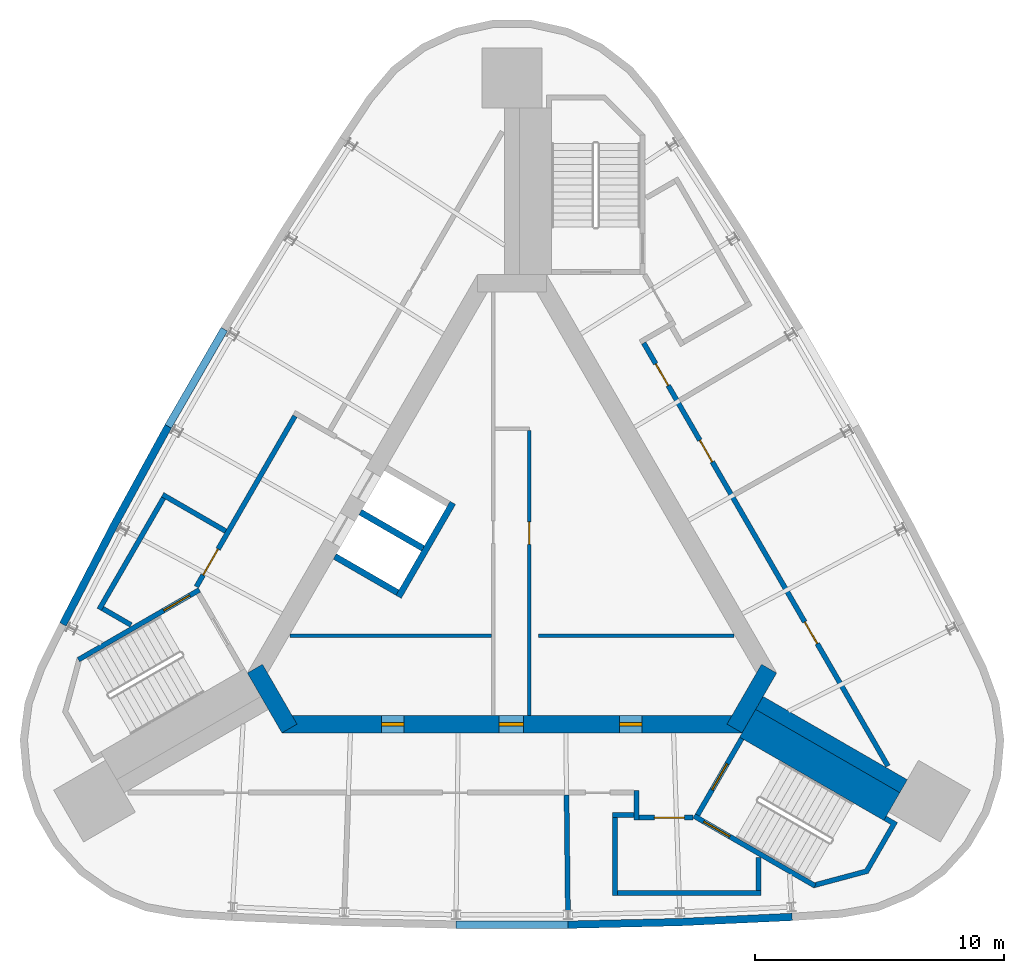
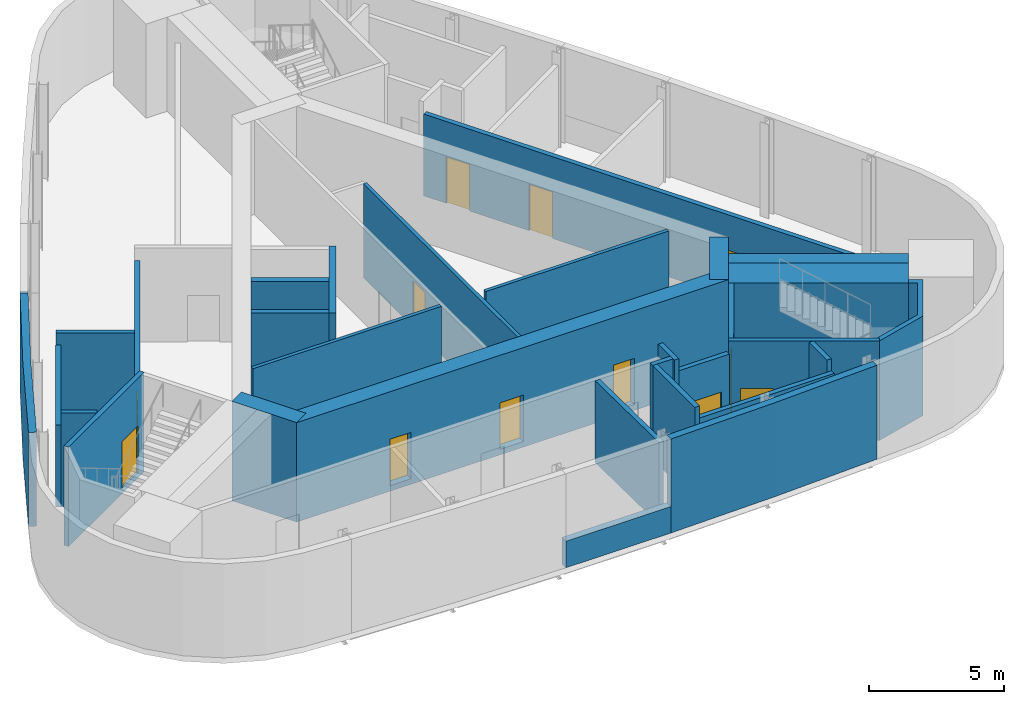
# One storey, part 4 of 7: 31 walls, 12 doors, 12 openings.
"""IFC4 building model written with IfcOpenShell, lengths in metres."""

from ifc_helpers import new_model, si_unit, direction, frame, frame_2d, origin, place, context, subcontext, project, spatial, polyline, rectangle, outline, extrude, material, layer, layer_set, type_object, element, fill, save


model = new_model("IFC4")

# Units and contexts
model_context = context("Model", 3, precision=1e-05, world=origin(), true_north=direction((0.0, 1.0)))
body_context = subcontext(model_context, "Body", "Model", "MODEL_VIEW")
ifc_project = project(units=[si_unit("LENGTHUNIT", "METRE"), si_unit("AREAUNIT", "SQUARE_METRE"), si_unit("VOLUMEUNIT", "CUBIC_METRE"), si_unit("PLANEANGLEUNIT", "RADIAN"), si_unit("MASSUNIT", "GRAM", prefix="KILO")], contexts=[model_context])

# Site, building, storey
site_placement = place(None, origin())
site = spatial("IfcSite", under=ifc_project, at=site_placement, CompositionType="ELEMENT")
building_placement = place(site_placement, origin())
building = spatial("IfcBuilding", under=site, at=building_placement, Name="Noor Cloister Tower", CompositionType="ELEMENT")
storey_placement = place(building_placement, frame((0.0, 0.0, 288.60009765625)))
storey = spatial("IfcBuildingStorey", under=building, at=storey_placement, Name="L73", CompositionType="ELEMENT", Elevation=288.60009765625)

# Walls
ifc_material_1 = material(Name="Concrete C50/60", Category="concrete")
ifc_layer_1 = layer(ifc_material_1, 0.60009765625)
ifc_layer_set_1 = layer_set([ifc_layer_1], Name="Buttress wall 600 C50/60")
wall_type_1 = type_object("IfcWallType", Name="Buttress wall 600 C50/60", PredefinedType="SHEAR", material=ifc_layer_set_1)
wall_1_placement = place(storey_placement, frame((9.921630859375, -5.728271484375, -0.25), z_axis=(0.0, 0.0, 1.0), x_axis=(0.866032176823, -0.499988268569, 0.0)))
element("IfcWall", 1, at=wall_1_placement, inside=storey, type_object=wall_type_1, Name="Buttress wall SE L73", PredefinedType="SHEAR", context=body_context, shape_type="SweptSolid", body=[
    extrude(rectangle(XDim=6.678466796875, YDim=0.60009765625, at=frame_2d((3.33935546875, 0.0))), origin(), (0.0, 0.0, 1.0), 4.5),
])
ifc_material_2 = material(Name="Concrete C30/37", Category="concrete")
ifc_layer_2 = layer(ifc_material_2, 0.14990234375)
ifc_layer_set_2 = layer_set([ifc_layer_2], Name="Core partition 150 C30/37")
wall_type_2 = type_object("IfcWallType", Name="Core partition 150 C30/37", PredefinedType="PARTITIONING", material=ifc_layer_set_2)
wall_2_placement = place(storey_placement, frame((-8.89501953125, -3.0283203125, 0.0), z_axis=(0.0, 0.0, 1.0), x_axis=(1.0, 0.0, 0.0)))
element("IfcWall", 2, at=wall_2_placement, inside=storey, type_object=wall_type_2, Name="Core room partition L73 1", PredefinedType="PARTITIONING", context=body_context, shape_type="SweptSolid", body=[
    extrude(rectangle(XDim=8.06640625, YDim=0.14990234375, at=frame_2d((4.033203125, 0.0))), origin(), (0.0, 0.0, 1.0), 4.25),
])

# Wall, opening, door
wall_3_placement = place(storey_placement, frame((0.6962890625, 5.19677734375, 0.0), z_axis=(0.0, 0.0, 1.0), x_axis=(0.0, -1.0, 0.0)))
wall_3 = element("IfcWall", 3, at=wall_3_placement, inside=storey, type_object=wall_type_2, Name="Core room partition L73 4", PredefinedType="PARTITIONING", context=body_context, shape_type="SweptSolid", body=[
    extrude(rectangle(XDim=11.425048828125, YDim=0.14990234375, at=frame_2d((5.71240234375, 0.0))), origin(), (0.0, 0.0, 1.0), 4.25),
])
opening_1_placement = place(wall_3_placement, frame((3.66357421875, 0.0, 0.0)))
opening_1 = element("IfcOpeningElement", 4, at=opening_1_placement, cuts=wall_3, Name="Opening L73-905", PredefinedType="OPENING", context=body_context, shape_type="SweptSolid", body=[
    extrude(rectangle(XDim=0.89990234375, YDim=2.10009765625, at=frame_2d((0.449951171875, 1.050048828125))), frame((0.0, 0.0849609375, 0.0), z_axis=(0.0, -1.0, 0.0), x_axis=(1.0, 0.0, 0.0)), (0.0, 0.0, 1.0), 0.169921875),
])
ifc_material_3 = material(Name="Steel", Category="steel")
door_type_1 = type_object("IfcDoorType", Name="Core door 900 x 2100 FD60", OperationType="SINGLE_SWING_LEFT", PredefinedType="DOOR", material=ifc_material_3)
door_1_placement = place(opening_1_placement, origin())
door_1 = element("IfcDoor", 5, at=door_1_placement, inside=storey, type_object=door_type_1, Name="Core door 5 L73", OperationType="SINGLE_SWING_LEFT", OverallHeight=2.10009765625, OverallWidth=0.89990234375, PredefinedType="DOOR", context=body_context, shape_type="SweptSolid", body=[
    extrude(rectangle(XDim=0.89990234375, YDim=2.10009765625, at=frame_2d((0.449951171875, 1.050048828125))), frame((0.0, 0.02490234375, 0.0), z_axis=(0.0, -1.0, 0.0), x_axis=(1.0, 0.0, 0.0)), (0.0, 0.0, 1.0), 0.050048828125),
])
fill(opening_1, door_1)

# Wall
wall_4_placement = place(storey_placement, frame((1.0712890625, -3.0283203125, 0.0), z_axis=(0.0, 0.0, 1.0), x_axis=(1.0, 0.0, 0.0)))
element("IfcWall", 6, at=wall_4_placement, inside=storey, type_object=wall_type_2, Name="Core room partition L73 5", PredefinedType="PARTITIONING", context=body_context, shape_type="SweptSolid", body=[
    extrude(rectangle(XDim=7.82373046875, YDim=0.14990234375, at=frame_2d((3.911865234375, 0.0))), origin(), (0.0, 0.0, 1.0), 4.25),
])

# Wall, openings, doors
ifc_material_4 = material(Name="Concrete C50/60", Category="concrete")
ifc_layer_3 = layer(ifc_material_4, 0.699951171875)
ifc_layer_set_3 = layer_set([ifc_layer_3], Name="Core wall 700 C50/60")
wall_type_3 = type_object("IfcWallType", Name="Core wall 700 C50/60", PredefinedType="SHEAR", material=ifc_layer_set_3)
wall_5_placement = place(storey_placement, frame((-9.228759765625, -6.578125, -0.25), z_axis=(0.0, 0.0, 1.0), x_axis=(1.0, 0.0, 0.0)))
wall_5 = element("IfcWall", 7, at=wall_5_placement, inside=storey, type_object=wall_type_3, Name="Core wall L73 1", PredefinedType="SHEAR", context=body_context, shape_type="SweptSolid", body=[
    extrude(rectangle(XDim=18.45751953125, YDim=0.699951171875, at=frame_2d((9.228759765625, 0.0))), origin(), (0.0, 0.0, 1.0), 4.5),
])
opening_2_placement = place(wall_5_placement, frame((8.699951171875, 0.0, 0.25)))
opening_2 = element("IfcOpeningElement", 8, at=opening_2_placement, cuts=wall_5, Name="Opening L73-901", PredefinedType="OPENING", context=body_context, shape_type="SweptSolid", body=[
    extrude(rectangle(XDim=1.0, YDim=2.10009765625, at=frame_2d((0.5, 1.050048828125))), frame((0.0, 0.35986328125, 0.0), z_axis=(0.0, -1.0, 0.0), x_axis=(1.0, 0.0, 0.0)), (0.0, 0.0, 1.0), 0.719970703125),
])
opening_3_placement = place(wall_5_placement, frame((3.989501953125, 0.0, 0.25)))
opening_3 = element("IfcOpeningElement", 9, at=opening_3_placement, cuts=wall_5, Name="Opening L73-902", PredefinedType="OPENING", context=body_context, shape_type="SweptSolid", body=[
    extrude(rectangle(XDim=0.89990234375, YDim=2.10009765625, at=frame_2d((0.449951171875, 1.050048828125))), frame((0.0, 0.35986328125, 0.0), z_axis=(0.0, -1.0, 0.0), x_axis=(1.0, 0.0, 0.0)), (0.0, 0.0, 1.0), 0.719970703125),
])
opening_4_placement = place(wall_5_placement, frame((13.539306640625, 0.0, 0.25)))
opening_4 = element("IfcOpeningElement", 10, at=opening_4_placement, cuts=wall_5, Name="Opening L73-903", PredefinedType="OPENING", context=body_context, shape_type="SweptSolid", body=[
    extrude(rectangle(XDim=0.89990234375, YDim=2.10009765625, at=frame_2d((0.449951171875, 1.050048828125))), frame((0.0, 0.35986328125, 0.0), z_axis=(0.0, -1.0, 0.0), x_axis=(1.0, 0.0, 0.0)), (0.0, 0.0, 1.0), 0.719970703125),
])
ifc_material_5 = material(Name="Steel", Category="steel")
door_type_2 = type_object("IfcDoorType", Name="Core door 1000 x 2100 FD120", OperationType="SINGLE_SWING_LEFT", PredefinedType="DOOR", material=ifc_material_5)
door_2_placement = place(opening_2_placement, origin())
door_2 = element("IfcDoor", 11, at=door_2_placement, inside=storey, type_object=door_type_2, Name="Core door 1 L73", OperationType="SINGLE_SWING_LEFT", OverallHeight=2.10009765625, OverallWidth=1.0, PredefinedType="DOOR", context=body_context, shape_type="SweptSolid", body=[
    extrude(rectangle(XDim=1.0, YDim=2.10009765625, at=frame_2d((0.5, 1.050048828125))), frame((0.0, 0.074951171875, 0.0), z_axis=(0.0, -1.0, 0.0), x_axis=(1.0, 0.0, 0.0)), (0.0, 0.0, 1.0), 0.14990234375),
])
fill(opening_2, door_2)
ifc_material_6 = material(Name="Steel", Category="steel")
door_type_3 = type_object("IfcDoorType", Name="Core door 900 x 2100 FD120", OperationType="SINGLE_SWING_LEFT", PredefinedType="DOOR", material=ifc_material_6)
door_3_placement = place(opening_3_placement, origin())
door_3 = element("IfcDoor", 12, at=door_3_placement, inside=storey, type_object=door_type_3, Name="Core door 2 L73", OperationType="SINGLE_SWING_RIGHT", OverallHeight=2.10009765625, OverallWidth=0.89990234375, PredefinedType="DOOR", context=body_context, shape_type="SweptSolid", body=[
    extrude(rectangle(XDim=0.89990234375, YDim=2.10009765625, at=frame_2d((0.449951171875, 1.050048828125))), frame((0.0, 0.074951171875, 0.0), z_axis=(0.0, -1.0, 0.0), x_axis=(1.0, 0.0, 0.0)), (0.0, 0.0, 1.0), 0.14990234375),
])
fill(opening_3, door_3)
door_4_placement = place(opening_4_placement, origin())
door_4 = element("IfcDoor", 13, at=door_4_placement, inside=storey, type_object=door_type_1, Name="Core door 3 L73", OperationType="SINGLE_SWING_LEFT", OverallHeight=2.10009765625, OverallWidth=0.89990234375, PredefinedType="DOOR", context=body_context, shape_type="SweptSolid", body=[
    extrude(rectangle(XDim=0.89990234375, YDim=2.10009765625, at=frame_2d((0.449951171875, 1.050048828125))), frame((0.0, 0.074951171875, 0.0), z_axis=(0.0, -1.0, 0.0), x_axis=(1.0, 0.0, 0.0)), (0.0, 0.0, 1.0), 0.14990234375),
])
fill(opening_4, door_4)

# Walls
for number, where, z_axis, x_axis, name in (
    (14, (8.925537109375, -6.753173828125, -0.25), (0.0, 0.0, 1.0), (0.500042739161, 0.866000726912, 0.0), "Core wall L73 2"),
    (15, (-10.311279296875, -4.353271484375, -0.25), (0.0, 0.0, 1.0), (0.500042739161, -0.866000726912, 0.0), "Core wall L73 6"),
):
    element("IfcWall", number, at=place(storey_placement, frame(where, z_axis=z_axis, x_axis=x_axis)), inside=storey, type_object=wall_type_3, Name=name, PredefinedType="SHEAR", context=body_context, shape_type="SweptSolid", body=[
        extrude(rectangle(XDim=2.771240234375, YDim=0.699951171875, at=frame_2d((1.3857421875, 0.0))), origin(), (0.0, 0.0, 1.0), 4.5),
    ])
ifc_material_7 = material(Name="Limestone", Category="masonry")
ifc_layer_4 = layer(ifc_material_7, 0.300048828125)
ifc_layer_set_4 = layer_set([ifc_layer_4], Name="Limestone panel wall 300")
wall_type_4 = type_object("IfcWallType", Name="Limestone panel wall 300", PredefinedType="NOTDEFINED", material=ifc_layer_set_4)
wall_6_placement = place(storey_placement, origin())
element("IfcWall", 16, at=wall_6_placement, inside=storey, type_object=wall_type_4, Name="Limestone crown wall L73 1b", PredefinedType="NOTDEFINED", context=body_context, shape_type="SweptSolid", body=[
    extrude(outline(polyline([(-13.919189453125, 5.438232421875), (-16.078125, 1.489990234375), (-18.14501953125, -2.507080078125), (-17.87841796875, -2.644775390625), (-15.813232421875, 1.34912109375), (-13.656005859375, 5.294189453125), (-13.919189453125, 5.438232421875)])), origin(), (0.0, 0.0, 1.0), 4.25),
])
wall_7_placement = place(storey_placement, origin())
element("IfcWall", 17, at=wall_7_placement, inside=storey, type_object=wall_type_4, Name="Limestone crown wall L73 1 lower", PredefinedType="NOTDEFINED", context=body_context, shape_type="SweptSolid", body=[
    extrude(outline(polyline([(-11.669189453125, 9.335205078125), (-13.919189453125, 5.438232421875), (-13.659423828125, 5.288330078125), (-11.409423828125, 9.185302734375), (-11.669189453125, 9.335205078125)])), origin(), (0.0, 0.0, 1.0), 1.199951171875),
])
wall_8_placement = place(storey_placement, origin())
element("IfcWall", 18, at=wall_8_placement, inside=storey, type_object=wall_type_4, Name="Limestone crown wall L73 2b", PredefinedType="NOTDEFINED", context=body_context, shape_type="SweptSolid", body=[
    extrude(outline(polyline([(2.25, -14.7734375), (6.74853515625, -14.669189453125), (11.24365234375, -14.46044921875), (11.229736328125, -14.160888671875), (6.73828125, -14.369384765625), (2.242919921875, -14.4736328125), (2.25, -14.7734375)])), origin(), (0.0, 0.0, 1.0), 4.25),
])
wall_9_placement = place(storey_placement, origin())
element("IfcWall", 19, at=wall_9_placement, inside=storey, type_object=wall_type_4, Name="Limestone crown wall L73 2 lower", PredefinedType="NOTDEFINED", context=body_context, shape_type="SweptSolid", body=[
    extrude(outline(polyline([(-2.25, -14.7734375), (2.25, -14.7734375), (2.25, -14.473388671875), (-2.25, -14.473388671875), (-2.25, -14.7734375)])), origin(), (0.0, 0.0, 1.0), 1.199951171875),
])
ifc_material_8 = material(Name="Concrete C50/60", Category="concrete")
ifc_layer_5 = layer(ifc_material_8, 0.25)
ifc_layer_set_5 = layer_set([ifc_layer_5], Name="Shaft wall 250 C50/60")
wall_type_5 = type_object("IfcWallType", Name="Shaft wall 250 C50/60", PredefinedType="PARTITIONING", material=ifc_layer_set_5)
for number, where, z_axis, x_axis, name in (
    (20, (-6.081298828125, 1.92333984375, -0.25), (0.0, 0.0, 1.0), (0.866032775405, -0.499987231761, 0.0), "Lift shaft wall L73 NW 4"),
    (21, (-7.106201171875, 0.14794921875, -0.25), (0.0, 0.0, 1.0), (0.866032775405, -0.499987231761, 0.0), "Lift shaft wall L73 NW 5"),
):
    element("IfcWall", number, at=place(storey_placement, frame(where, z_axis=z_axis, x_axis=x_axis)), inside=storey, type_object=wall_type_5, Name=name, PredefinedType="PARTITIONING", context=body_context, shape_type="SweptSolid", body=[
        extrude(rectangle(XDim=2.89990234375, YDim=0.25, at=frame_2d((1.449951171875, 0.0))), origin(), (0.0, 0.0, 1.0), 4.5),
    ])
wall_10_placement = place(storey_placement, frame((-2.3740234375, 2.29443359375, 0.0), z_axis=(0.0, 0.0, 1.0), x_axis=(-0.499996127374, -0.866027639635, 0.0)))
element("IfcWall", 22, at=wall_10_placement, inside=storey, type_object=wall_type_5, Name="Lift shaft back wall L73 NW", PredefinedType="PARTITIONING", context=body_context, shape_type="SweptSolid", body=[
    extrude(rectangle(XDim=4.35009765625, YDim=0.25, at=frame_2d((2.175048828125, 0.0))), origin(), (0.0, 0.0, 1.0), 4.25),
])
ifc_material_9 = material(Name="Concrete C50/60", Category="concrete")
ifc_layer_6 = layer(ifc_material_9, 1.285888671875)
ifc_layer_set_6 = layer_set([ifc_layer_6], Name="Stair enclosure wall 1286 C50/60")
wall_type_6 = type_object("IfcWallType", Name="Stair enclosure wall 1286 C50/60", PredefinedType="SHEAR", material=ifc_layer_set_6)
wall_11_placement = place(storey_placement, frame((9.4501953125, -6.544677734375, -0.25), z_axis=(0.0, 0.0, 1.0), x_axis=(0.866016347338, -0.500015685897, 0.0)))
element("IfcWall", 23, at=wall_11_placement, inside=storey, type_object=wall_type_6, Name="Stair enclosure wall ST3 L73 riser side", PredefinedType="SHEAR", context=body_context, shape_type="SweptSolid", body=[
    extrude(rectangle(XDim=6.678466796875, YDim=1.28564453125, at=frame_2d((3.33935546875, 0.0))), origin(), (0.0, 0.0, 1.0), 4.5),
])

# Wall, opening, door
ifc_material_10 = material(Name="Concrete C50/60", Category="concrete")
ifc_layer_7 = layer(ifc_material_10, 0.199951171875)
ifc_layer_set_7 = layer_set([ifc_layer_7], Name="Stair enclosure wall 200 C50/60")
wall_type_7 = type_object("IfcWallType", Name="Stair enclosure wall 200 C50/60", PredefinedType="SHEAR", material=ifc_layer_set_7)
wall_12_placement = place(storey_placement, frame((-12.539306640625, -1.194091796875, -0.25), z_axis=(0.0, 0.0, 1.0), x_axis=(-0.866045472092, -0.499965239061, 0.0)))
wall_12 = element("IfcWall", 24, at=wall_12_placement, inside=storey, type_object=wall_type_7, Name="Stair enclosure wall ST2 L73 outer side", PredefinedType="SHEAR", context=body_context, shape_type="SweptSolid", body=[
    extrude(rectangle(XDim=5.60009765625, YDim=0.199951171875, at=frame_2d((2.800048828125, 0.0))), origin(), (0.0, 0.0, 1.0), 4.5),
])
opening_5_placement = place(wall_12_placement, frame((0.449951171875, 0.0, 0.25)))
opening_5 = element("IfcOpeningElement", 25, at=opening_5_placement, cuts=wall_12, Name="Opening L73-ST2C", PredefinedType="OPENING", context=body_context, shape_type="SweptSolid", body=[
    extrude(rectangle(XDim=1.199951171875, YDim=2.10009765625, at=frame_2d((0.60009765625, 1.050048828125))), frame((0.0, 0.10986328125, 0.0), z_axis=(0.0, -1.0, 0.0), x_axis=(1.0, 0.0, 0.0)), (0.0, 0.0, 1.0), 0.219970703125),
])
ifc_material_11 = material(Name="Steel", Category="steel")
door_type_4 = type_object("IfcDoorType", Name="Stair door 1200 x 2100 FD120", OperationType="SINGLE_SWING_LEFT", PredefinedType="DOOR", material=ifc_material_11)
door_5_placement = place(opening_5_placement, origin())
door_5 = element("IfcDoor", 26, at=door_5_placement, inside=storey, type_object=door_type_4, Name="Stair door ST2 L73", OperationType="SINGLE_SWING_LEFT", OverallHeight=2.10009765625, OverallWidth=1.199951171875, PredefinedType="DOOR", context=body_context, shape_type="SweptSolid", body=[
    extrude(rectangle(XDim=1.199951171875, YDim=2.10009765625, at=frame_2d((0.60009765625, 1.050048828125))), frame((0.0, 0.02490234375, 0.0), z_axis=(0.0, -1.0, 0.0), x_axis=(1.0, 0.0, 0.0)), (0.0, 0.0, 1.0), 0.050048828125),
])
fill(opening_5, door_5)

wall_13_placement = place(storey_placement, frame((7.440185546875, -10.225830078125, -0.25), z_axis=(0.0, 0.0, 1.0), x_axis=(0.500022077904, 0.866012656725, 0.0)))
wall_13 = element("IfcWall", 27, at=wall_13_placement, inside=storey, type_object=wall_type_7, Name="Stair enclosure wall ST3 L73 near end", PredefinedType="SHEAR", context=body_context, shape_type="SweptSolid", body=[
    extrude(rectangle(XDim=3.550048828125, YDim=0.199951171875, at=frame_2d((1.77490234375, 0.0))), origin(), (0.0, 0.0, 1.0), 4.5),
])
opening_6_placement = place(wall_13_placement, frame((1.175048828125, 0.0, 0.25)))
opening_6 = element("IfcOpeningElement", 28, at=opening_6_placement, cuts=wall_13, Name="Opening L73-ST3L", PredefinedType="OPENING", context=body_context, shape_type="SweptSolid", body=[
    extrude(rectangle(XDim=1.199951171875, YDim=2.10009765625, at=frame_2d((0.60009765625, 1.050048828125))), frame((0.0, 0.10986328125, 0.0), z_axis=(0.0, -1.0, 0.0), x_axis=(1.0, 0.0, 0.0)), (0.0, 0.0, 1.0), 0.219970703125),
])
door_6_placement = place(opening_6_placement, origin())
door_6 = element("IfcDoor", 29, at=door_6_placement, inside=storey, type_object=door_type_4, Name="Stair door ST3 L73", OperationType="SINGLE_SWING_RIGHT", OverallHeight=2.10009765625, OverallWidth=1.199951171875, PredefinedType="DOOR", context=body_context, shape_type="SweptSolid", body=[
    extrude(rectangle(XDim=1.199951171875, YDim=2.10009765625, at=frame_2d((0.60009765625, 1.050048828125))), frame((0.0, 0.02490234375, 0.0), z_axis=(0.0, -1.0, 0.0), x_axis=(1.0, 0.0, 0.0)), (0.0, 0.0, 1.0), 0.050048828125),
])
fill(opening_6, door_6)

wall_14_placement = place(storey_placement, frame((7.3037109375, -10.262451171875, -0.25), z_axis=(0.0, 0.0, 1.0), x_axis=(0.866026594901, -0.49999793692, 0.0)))
wall_14 = element("IfcWall", 30, at=wall_14_placement, inside=storey, type_object=wall_type_7, Name="Stair enclosure wall ST3 L73 outer side", PredefinedType="SHEAR", context=body_context, shape_type="SweptSolid", body=[
    extrude(rectangle(XDim=5.60009765625, YDim=0.199951171875, at=frame_2d((2.800048828125, 0.0))), origin(), (0.0, 0.0, 1.0), 4.5),
])
opening_7_placement = place(wall_14_placement, frame((0.449951171875, 0.0, 0.25)))
opening_7 = element("IfcOpeningElement", 31, at=opening_7_placement, cuts=wall_14, Name="Opening L73-ST3C", PredefinedType="OPENING", context=body_context, shape_type="SweptSolid", body=[
    extrude(rectangle(XDim=1.199951171875, YDim=2.10009765625, at=frame_2d((0.60009765625, 1.050048828125))), frame((0.0, 0.10986328125, 0.0), z_axis=(0.0, -1.0, 0.0), x_axis=(1.0, 0.0, 0.0)), (0.0, 0.0, 1.0), 0.219970703125),
])
door_7_placement = place(opening_7_placement, origin())
door_7 = element("IfcDoor", 32, at=door_7_placement, inside=storey, type_object=door_type_4, Name="Stair door ST3 L73", OperationType="SINGLE_SWING_LEFT", OverallHeight=2.10009765625, OverallWidth=1.199951171875, PredefinedType="DOOR", context=body_context, shape_type="SweptSolid", body=[
    extrude(rectangle(XDim=1.199951171875, YDim=2.10009765625, at=frame_2d((0.60009765625, 1.050048828125))), frame((0.0, 0.02490234375, 0.0), z_axis=(0.0, -1.0, 0.0), x_axis=(1.0, 0.0, 0.0)), (0.0, 0.0, 1.0), 0.050048828125),
])
fill(opening_7, door_7)

# Walls
ifc_material_12 = material(Name="Concrete C50/60", Category="concrete")
wall_type_8 = type_object("IfcWallType", Name="Stair far end wall C50/60", PredefinedType="SHEAR", material=ifc_material_12)
wall_15_placement = place(storey_placement, frame((0.0, 0.0, -0.25)))
element("IfcWall", 33, at=wall_15_placement, inside=storey, type_object=wall_type_8, Name="Stair enclosure wall ST3 L73 far end", PredefinedType="SHEAR", context=body_context, shape_type="SweptSolid", body=[
    extrude(outline(polyline([(12.103515625, -13.14892578125), (14.2890625, -12.5634765625), (15.464111328125, -10.5283203125), (15.0126953125, -10.267578125), (14.91259765625, -10.440673828125), (15.19091796875, -10.601318359375), (14.1572265625, -12.3916015625), (12.131591796875, -12.934326171875), (12.20361328125, -12.975830078125), (12.20361328125, -12.975830078125), (12.20361328125, -12.975830078125), (12.20361328125, -12.975830078125), (12.20361328125, -12.975830078125), (12.20361328125, -12.975830078125), (12.20361328125, -12.975830078125), (12.20361328125, -12.975830078125), (12.20361328125, -12.975830078125), (12.20361328125, -12.975830078125), (12.20361328125, -12.975830078125), (12.20361328125, -12.975830078125), (12.20361328125, -12.975830078125), (12.20361328125, -12.975830078125), (12.20361328125, -12.975830078125), (12.20361328125, -12.975830078125), (12.20361328125, -12.975830078125), (12.103515625, -13.14892578125)])), origin(), (0.0, 0.0, 1.0), 4.5),
])
ifc_material_13 = material(Name="Concrete block wall, 200 mm", Category="concrete")
ifc_layer_8 = layer(ifc_material_13, 0.199951171875)
ifc_layer_set_8 = layer_set([ifc_layer_8], Name="Upper floor plant room wall 200")
wall_type_9 = type_object("IfcWallType", Name="Upper floor plant room wall 200", PredefinedType="PARTITIONING", material=ifc_layer_set_8)
wall_16_placement = place(storey_placement, frame((-14.012939453125, 2.62451171875, 0.0), z_axis=(0.0, 0.0, 1.0), x_axis=(0.866026830048, -0.499997529631, 0.0)))
element("IfcWall", 34, at=wall_16_placement, inside=storey, type_object=wall_type_9, Name="Upper floor plant room wall 200 L73 002", PredefinedType="PARTITIONING", context=body_context, shape_type="SweptSolid", body=[
    extrude(rectangle(XDim=2.91943359375, YDim=0.199951171875, at=frame_2d((1.459716796875, 0.0))), origin(), (0.0, 0.0, 1.0), 4.25),
])

# Wall, opening, door
wall_17_placement = place(storey_placement, frame((-12.657958984375, -1.06787109375, 0.0), z_axis=(0.0, 0.0, 1.0), x_axis=(0.499996073327, 0.866027670838, 0.0)))
wall_17 = element("IfcWall", 35, at=wall_17_placement, inside=storey, type_object=wall_type_9, Name="Upper floor plant room wall 200 L73 003", PredefinedType="PARTITIONING", context=body_context, shape_type="SweptSolid", body=[
    extrude(rectangle(XDim=7.90380859375, YDim=0.199951171875, at=frame_2d((3.951904296875, 0.0))), origin(), (0.0, 0.0, 1.0), 3.701904296875),
])
opening_8_placement = place(wall_17_placement, frame((0.54052734375, 0.0, 0.0)))
opening_8 = element("IfcOpeningElement", 36, at=opening_8_placement, cuts=wall_17, Name="Opening L73-003", PredefinedType="OPENING", context=body_context, shape_type="SweptSolid", body=[
    extrude(rectangle(XDim=1.199951171875, YDim=2.10009765625, at=frame_2d((0.60009765625, 1.050048828125))), frame((0.0, 0.10986328125, 0.0), z_axis=(0.0, -1.0, 0.0), x_axis=(1.0, 0.0, 0.0)), (0.0, 0.0, 1.0), 0.219970703125),
])
ifc_material_14 = material(Name="Timber door leaf with steel frame", Category="steel")
door_type_5 = type_object("IfcDoorType", Name="Protected lobby door 1200", OperationType="NOTDEFINED", PredefinedType="DOOR", material=ifc_material_14)
door_8_placement = place(opening_8_placement, origin())
door_8 = element("IfcDoor", 37, at=door_8_placement, inside=storey, type_object=door_type_5, Name="Protected lobby door 1200 L73-003", OperationType="SINGLE_SWING_LEFT", OverallHeight=2.10009765625, OverallWidth=1.199951171875, PredefinedType="DOOR", context=body_context, shape_type="SweptSolid", body=[
    extrude(rectangle(XDim=1.199951171875, YDim=2.10009765625, at=frame_2d((0.60009765625, 1.050048828125))), frame((0.0, 0.02490234375, 0.0), z_axis=(0.0, -1.0, 0.0), x_axis=(1.0, 0.0, 0.0)), (0.0, 0.0, 1.0), 0.050048828125),
])
fill(opening_8, door_8)

# Walls
wall_18_placement = place(storey_placement, frame((-16.556396484375, -1.97705078125, 0.0), z_axis=(0.0, 0.0, 1.0), x_axis=(0.499983365876, 0.866035007288, 0.0)))
element("IfcWall", 38, at=wall_18_placement, inside=storey, type_object=wall_type_9, Name="Upper floor plant room wall 200 L73 005", PredefinedType="PARTITIONING", context=body_context, shape_type="SweptSolid", body=[
    extrude(rectangle(XDim=5.156982421875, YDim=0.199951171875, at=frame_2d((2.57861328125, 0.0))), origin(), (0.0, 0.0, 1.0), 3.701904296875),
])
wall_19_placement = place(storey_placement, frame((-16.4208984375, -1.942138671875, 0.0), z_axis=(0.0, 0.0, 1.0), x_axis=(0.865991484893, -0.500058744641, 0.0)))
element("IfcWall", 39, at=wall_19_placement, inside=storey, type_object=wall_type_9, Name="Upper floor plant room wall 200 L73 006", PredefinedType="PARTITIONING", context=body_context, shape_type="SweptSolid", body=[
    extrude(rectangle(XDim=1.319580078125, YDim=0.199951171875, at=frame_2d((0.65966796875, 0.0))), origin(), (0.0, 0.0, 1.0), 4.25),
])
wall_20_placement = place(storey_placement, frame((4.03369140625, -10.228271484375, 0.0), z_axis=(0.0, 0.0, 1.0), x_axis=(1.0, 0.0, 0.0)))
element("IfcWall", 40, at=wall_20_placement, inside=storey, type_object=wall_type_9, Name="Upper floor plant room wall 200 L73 007", PredefinedType="PARTITIONING", context=body_context, shape_type="SweptSolid", body=[
    extrude(rectangle(XDim=0.8662109375, YDim=0.199951171875, at=frame_2d((0.43310546875, 0.0))), origin(), (0.0, 0.0, 1.0), 4.25),
])
wall_21_placement = place(storey_placement, frame((5.0, -10.42822265625, 0.0), z_axis=(0.0, 0.0, 1.0), x_axis=(0.0, 1.0, 0.0)))
element("IfcWall", 41, at=wall_21_placement, inside=storey, type_object=wall_type_9, Name="Upper floor plant room wall 200 L73 008", PredefinedType="PARTITIONING", context=body_context, shape_type="SweptSolid", body=[
    extrude(rectangle(XDim=1.197998046875, YDim=0.199951171875, at=frame_2d((0.59912109375, 0.0))), origin(), (0.0, 0.0, 1.0), 4.25),
])

# Wall, opening, door
wall_22_placement = place(storey_placement, frame((5.10009765625, -10.328125, 0.0), z_axis=(0.0, 0.0, 1.0), x_axis=(1.0, 0.0, 0.0)))
wall_22 = element("IfcWall", 42, at=wall_22_placement, inside=storey, type_object=wall_type_9, Name="Upper floor plant room wall 200 L73 009", PredefinedType="PARTITIONING", context=body_context, shape_type="SweptSolid", body=[
    extrude(rectangle(XDim=2.153564453125, YDim=0.199951171875, at=frame_2d((1.07666015625, 0.0))), origin(), (0.0, 0.0, 1.0), 3.701904296875),
])
opening_9_placement = place(wall_22_placement, frame((0.61474609375, 0.0, 0.0)))
opening_9 = element("IfcOpeningElement", 43, at=opening_9_placement, cuts=wall_22, Name="Opening L73-007", PredefinedType="OPENING", context=body_context, shape_type="SweptSolid", body=[
    extrude(rectangle(XDim=1.199951171875, YDim=2.10009765625, at=frame_2d((0.60009765625, 1.050048828125))), frame((0.0, 0.10986328125, 0.0), z_axis=(0.0, -1.0, 0.0), x_axis=(1.0, 0.0, 0.0)), (0.0, 0.0, 1.0), 0.219970703125),
])
door_9_placement = place(opening_9_placement, origin())
door_9 = element("IfcDoor", 44, at=door_9_placement, inside=storey, type_object=door_type_5, Name="Protected lobby door 1200 L73-007", OperationType="SINGLE_SWING_RIGHT", OverallHeight=2.10009765625, OverallWidth=1.199951171875, PredefinedType="DOOR", context=body_context, shape_type="SweptSolid", body=[
    extrude(rectangle(XDim=1.199951171875, YDim=2.10009765625, at=frame_2d((0.60009765625, 1.050048828125))), frame((0.0, 0.02490234375, 0.0), z_axis=(0.0, -1.0, 0.0), x_axis=(1.0, 0.0, 0.0)), (0.0, 0.0, 1.0), 0.050048828125),
])
fill(opening_9, door_9)

# Walls
wall_23_placement = place(storey_placement, frame((2.18798828125, -9.429443359375, 0.0), z_axis=(0.0, 0.0, 1.0), x_axis=(0.011564782234, -0.99993312567, 0.0)))
element("IfcWall", 45, at=wall_23_placement, inside=storey, type_object=wall_type_9, Name="Upper floor plant room wall 200 L73 012", PredefinedType="PARTITIONING", context=body_context, shape_type="SweptSolid", body=[
    extrude(rectangle(XDim=4.644287109375, YDim=0.199951171875, at=frame_2d((2.322265625, 0.0))), origin(), (0.0, 0.0, 1.0), 3.701904296875),
])
wall_24_placement = place(storey_placement, frame((4.133544921875, -10.328125, 0.0), z_axis=(0.0, 0.0, 1.0), x_axis=(0.0, -1.0, 0.0)))
element("IfcWall", 46, at=wall_24_placement, inside=storey, type_object=wall_type_9, Name="Upper floor plant room wall 200 L73 013", PredefinedType="PARTITIONING", context=body_context, shape_type="SweptSolid", body=[
    extrude(rectangle(XDim=3.12158203125, YDim=0.199951171875, at=frame_2d((1.560791015625, 0.0))), origin(), (0.0, 0.0, 1.0), 4.25),
])
wall_25_placement = place(storey_placement, frame((4.233642578125, -13.349853515625, 0.0), z_axis=(0.0, 0.0, 1.0), x_axis=(1.0, 0.0, 0.0)))
element("IfcWall", 47, at=wall_25_placement, inside=storey, type_object=wall_type_9, Name="Upper floor plant room wall 200 L73 014", PredefinedType="PARTITIONING", context=body_context, shape_type="SweptSolid", body=[
    extrude(rectangle(XDim=5.7587890625, YDim=0.199951171875, at=frame_2d((2.87939453125, 0.0))), origin(), (0.0, 0.0, 1.0), 3.701904296875),
])
wall_26_placement = place(storey_placement, frame((9.892578125, -13.249755859375, 0.0), z_axis=(0.0, 0.0, 1.0), x_axis=(0.0, 1.0, 0.0)))
element("IfcWall", 48, at=wall_26_placement, inside=storey, type_object=wall_type_9, Name="Upper floor plant room wall 200 L73 015", PredefinedType="PARTITIONING", context=body_context, shape_type="SweptSolid", body=[
    extrude(rectangle(XDim=1.319580078125, YDim=0.199951171875, at=frame_2d((0.65966796875, 0.0))), origin(), (0.0, 0.0, 1.0), 4.25),
])

# Wall, openings, doors
wall_27_placement = place(storey_placement, frame((5.281982421875, 8.70751953125, 0.0), z_axis=(0.0, 0.0, 1.0), x_axis=(0.500001848211, -0.866024336717, 0.0)))
wall_27 = element("IfcWall", 49, at=wall_27_placement, inside=storey, type_object=wall_type_9, Name="Upper floor plant room wall 200 L73 019", PredefinedType="PARTITIONING", context=body_context, shape_type="SweptSolid", body=[
    extrude(rectangle(XDim=19.5908203125, YDim=0.199951171875, at=frame_2d((9.79541015625, 0.0))), origin(), (0.0, 0.0, 1.0), 3.701904296875),
])
opening_10_placement = place(wall_27_placement, frame((12.923095703125, 0.0, 0.0)))
opening_10 = element("IfcOpeningElement", 50, at=opening_10_placement, cuts=wall_27, Name="Opening L73-008", PredefinedType="OPENING", context=body_context, shape_type="SweptSolid", body=[
    extrude(rectangle(XDim=1.0, YDim=2.10009765625, at=frame_2d((0.5, 1.050048828125))), frame((0.0, 0.10986328125, 0.0), z_axis=(0.0, -1.0, 0.0), x_axis=(1.0, 0.0, 0.0)), (0.0, 0.0, 1.0), 0.219970703125),
])
opening_11_placement = place(wall_27_placement, frame((4.50244140625, 0.0, 0.0)))
opening_11 = element("IfcOpeningElement", 51, at=opening_11_placement, cuts=wall_27, Name="Opening L73-009", PredefinedType="OPENING", context=body_context, shape_type="SweptSolid", body=[
    extrude(rectangle(XDim=1.0, YDim=2.10009765625, at=frame_2d((0.5, 1.050048828125))), frame((0.0, 0.10986328125, 0.0), z_axis=(0.0, -1.0, 0.0), x_axis=(1.0, 0.0, 0.0)), (0.0, 0.0, 1.0), 0.219970703125),
])
opening_12_placement = place(wall_27_placement, frame((0.96533203125, 0.0, 0.0)))
opening_12 = element("IfcOpeningElement", 52, at=opening_12_placement, cuts=wall_27, Name="Opening L73-010", PredefinedType="OPENING", context=body_context, shape_type="SweptSolid", body=[
    extrude(rectangle(XDim=1.0, YDim=2.10009765625, at=frame_2d((0.5, 1.050048828125))), frame((0.0, 0.10986328125, 0.0), z_axis=(0.0, -1.0, 0.0), x_axis=(1.0, 0.0, 0.0)), (0.0, 0.0, 1.0), 0.219970703125),
])
ifc_material_15 = material(Name="Timber door leaf with steel frame", Category="steel")
door_type_6 = type_object("IfcDoorType", Name="Plant room door 1000", OperationType="NOTDEFINED", PredefinedType="DOOR", material=ifc_material_15)
door_10_placement = place(opening_10_placement, origin())
door_10 = element("IfcDoor", 53, at=door_10_placement, inside=storey, type_object=door_type_6, Name="Plant room door 1000 L73-008", OperationType="SINGLE_SWING_RIGHT", OverallHeight=2.10009765625, OverallWidth=1.0, PredefinedType="DOOR", context=body_context, shape_type="SweptSolid", body=[
    extrude(rectangle(XDim=1.0, YDim=2.10009765625, at=frame_2d((0.5, 1.050048828125))), frame((0.0, 0.02490234375, 0.0), z_axis=(0.0, -1.0, 0.0), x_axis=(1.0, 0.0, 0.0)), (0.0, 0.0, 1.0), 0.050048828125),
])
fill(opening_10, door_10)
door_11_placement = place(opening_11_placement, origin())
door_11 = element("IfcDoor", 54, at=door_11_placement, inside=storey, type_object=door_type_6, Name="Plant room door 1000 L73-009", OperationType="SINGLE_SWING_LEFT", OverallHeight=2.10009765625, OverallWidth=1.0, PredefinedType="DOOR", context=body_context, shape_type="SweptSolid", body=[
    extrude(rectangle(XDim=1.0, YDim=2.10009765625, at=frame_2d((0.5, 1.050048828125))), frame((0.0, 0.02490234375, 0.0), z_axis=(0.0, -1.0, 0.0), x_axis=(1.0, 0.0, 0.0)), (0.0, 0.0, 1.0), 0.050048828125),
])
fill(opening_11, door_11)
door_12_placement = place(opening_12_placement, origin())
door_12 = element("IfcDoor", 55, at=door_12_placement, inside=storey, type_object=door_type_6, Name="Plant room door 1000 L73-010", OperationType="SINGLE_SWING_LEFT", OverallHeight=2.10009765625, OverallWidth=1.0, PredefinedType="DOOR", context=body_context, shape_type="SweptSolid", body=[
    extrude(rectangle(XDim=1.0, YDim=2.10009765625, at=frame_2d((0.5, 1.050048828125))), frame((0.0, 0.02490234375, 0.0), z_axis=(0.0, -1.0, 0.0), x_axis=(1.0, 0.0, 0.0)), (0.0, 0.0, 1.0), 0.050048828125),
])
fill(opening_12, door_12)

save(model, "model.ifc")
